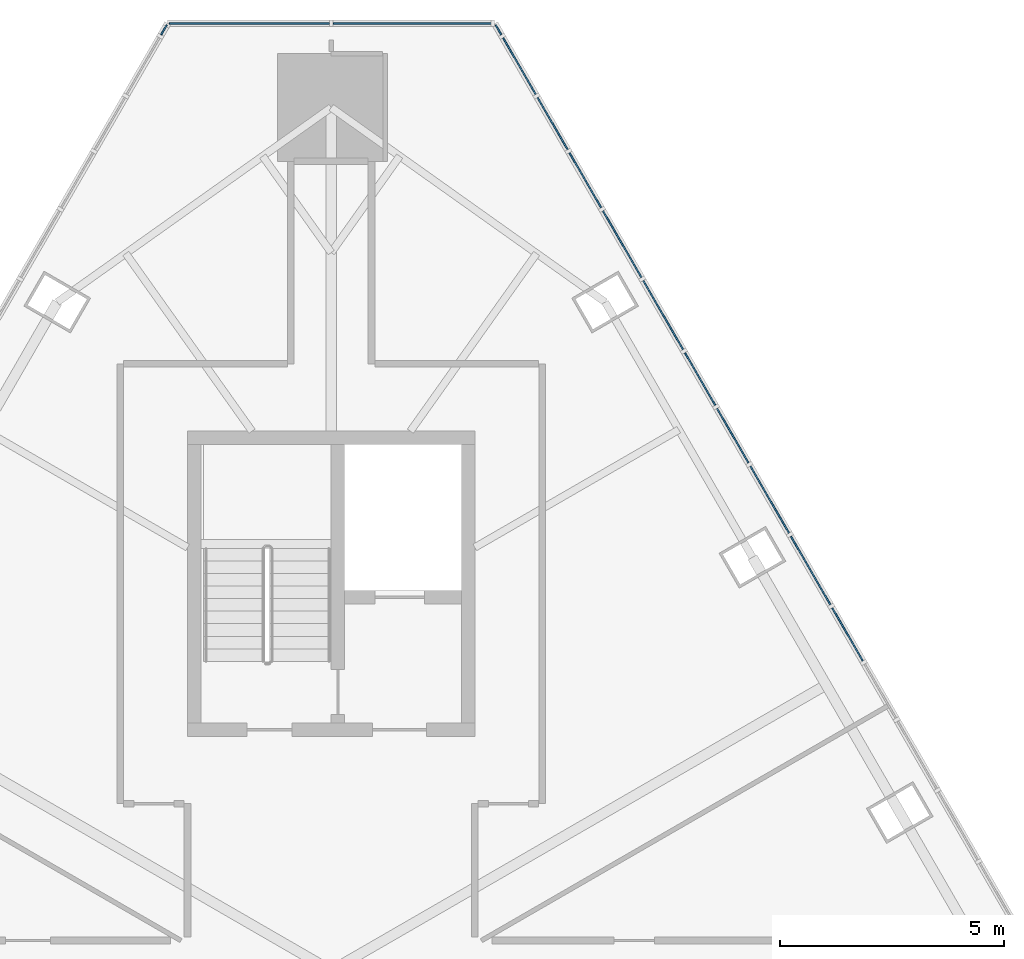
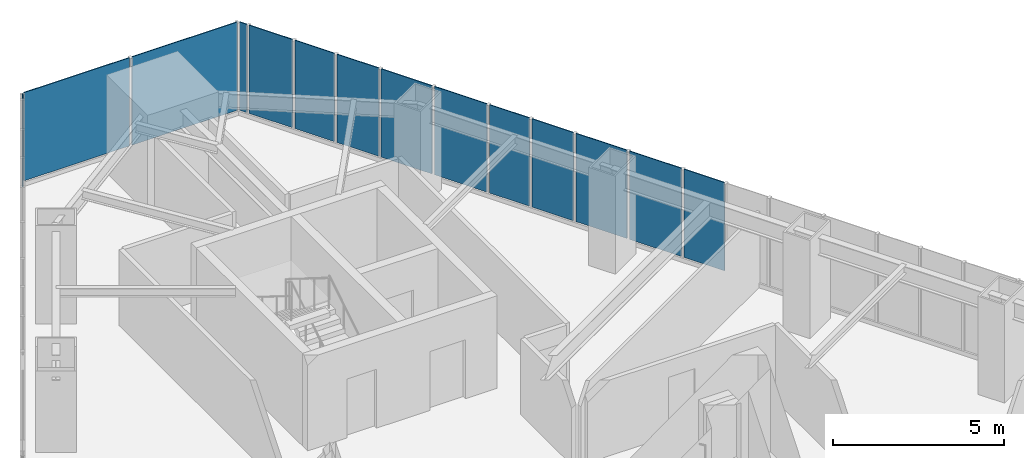
# One storey, part 15 of 21: 14 plates, 3 elements without a shape of their own.
"""IFC4 building model written with IfcOpenShell, lengths in metres."""

from ifc_helpers import new_model, si_unit, direction, frame, origin, place, context, subcontext, project, spatial, polyline, outline, extrude, material, layer, layer_set, type_object, element, aggregate, save


model = new_model("IFC4")

# Units and contexts
model_context = context("Model", 3, precision=1e-05, world=origin(), true_north=direction((0.0, 1.0)))
body_context = subcontext(model_context, "Body", "Model", "MODEL_VIEW")
ifc_project = project(units=[si_unit("LENGTHUNIT", "METRE"), si_unit("AREAUNIT", "SQUARE_METRE"), si_unit("VOLUMEUNIT", "CUBIC_METRE"), si_unit("PLANEANGLEUNIT", "RADIAN"), si_unit("MASSUNIT", "GRAM", prefix="KILO")], contexts=[model_context])

# Site, building, storey
site_placement = place(None, origin())
site = spatial("IfcSite", under=ifc_project, at=site_placement, CompositionType="ELEMENT")
building_placement = place(site_placement, origin())
building = spatial("IfcBuilding", under=site, at=building_placement, Name="Firuza Gate Tower and Library", CompositionType="ELEMENT")
storey_placement = place(building_placement, frame((0.0, 0.0, 274.10009765625)))
storey = spatial("IfcBuildingStorey", under=building, at=storey_placement, Name="L65", CompositionType="ELEMENT", Elevation=274.10009765625)

# Curtain wall, plates
ifc_material_1 = material(Name="Aluminium 6063-T6", Category="aluminium")
ifc_layer_1 = layer(ifc_material_1, 0.14990234375)
ifc_layer_set_1 = layer_set([ifc_layer_1], Name="Corner curtain wall, chamfers")
curtain_wall_type_1 = type_object("IfcCurtainWallType", Name="Corner curtain wall, chamfers", PredefinedType="NOTDEFINED", material=ifc_layer_set_1)
placement = place(storey_placement, origin())
curtain_wall_1 = element("IfcCurtainWall", 1, at=placement, inside=storey, type_object=curtain_wall_type_1, Name="CW4 L65 N corner", PredefinedType="NOTDEFINED")
ifc_material_2 = material(Name="Fritted glass", Category="glass")
ifc_layer_2 = layer(ifc_material_2, 0.030029296875)
ifc_layer_set_2 = layer_set([ifc_layer_2], Name="Fritted glass unit, corners")
plate_type_1 = type_object("IfcPlateType", Name="Fritted glass unit, corners", PredefinedType="CURTAIN_PANEL", material=ifc_layer_set_2)
plate_1_placement = place(storey_placement, frame((78.603271484375, 103.701904296875, 0.14990234375), z_axis=(0.0, 1.0, 0.0), x_axis=(-1.0, 0.0, 0.0)))
plate_1 = element("IfcPlate", 2, at=plate_1_placement, type_object=plate_type_1, Name="Glass unit", PredefinedType="CURTAIN_PANEL", context=body_context, shape_type="SweptSolid", body=[
    extrude(outline(polyline([(0.0, 0.0), (3.563232421875, 0.0), (3.563232421875, 3.14990234375), (0.0, 3.14990234375), (0.0, 0.0)])), origin(), (0.0, 0.0, -1.0), 0.030029296875),
])
plate_2_placement = place(storey_placement, frame((74.9599609375, 103.701904296875, 0.14990234375), z_axis=(0.0, 1.0, 0.0), x_axis=(-1.0, 0.0, 0.0)))
plate_2 = element("IfcPlate", 3, at=plate_2_placement, type_object=plate_type_1, Name="Glass unit", PredefinedType="CURTAIN_PANEL", context=body_context, shape_type="SweptSolid", body=[
    extrude(outline(polyline([(0.0, 0.0), (3.563232421875, 0.0), (3.563232421875, 3.14990234375), (0.0, 3.14990234375), (0.0, 0.0)])), origin(), (0.0, 0.0, -1.0), 0.030029296875),
])
aggregate(curtain_wall_1, [plate_1, plate_2])

ifc_material_3 = material(Name="Aluminium 6063-T6", Category="aluminium")
ifc_layer_3 = layer(ifc_material_3, 0.14990234375)
ifc_layer_set_3 = layer_set([ifc_layer_3], Name="Unitised curtain wall, residences")
curtain_wall_type_2 = type_object("IfcCurtainWallType", Name="Unitised curtain wall, residences", PredefinedType="NOTDEFINED", material=ifc_layer_set_3)
curtain_wall_2 = element("IfcCurtainWall", 4, at=placement, inside=storey, type_object=curtain_wall_type_2, Name="CW3 L65 E face", PredefinedType="NOTDEFINED")
ifc_material_4 = material(Name="Fritted glass", Category="glass")
ifc_layer_4 = layer(ifc_material_4, 0.030029296875)
ifc_layer_set_4 = layer_set([ifc_layer_4], Name="Fritted glass unit, residences")
plate_type_2 = type_object("IfcPlateType", Name="Fritted glass unit, residences", PredefinedType="CURTAIN_PANEL", material=ifc_layer_set_4)
plate_3_placement = place(storey_placement, frame((86.135498046875, 90.739990234375, 0.14990234375), z_axis=(0.866010328312, 0.500026110575, 0.0), x_axis=(-0.500026110575, 0.866010328312, 0.0)))
plate_3 = element("IfcPlate", 5, at=plate_3_placement, type_object=plate_type_2, Name="Glass unit", PredefinedType="CURTAIN_PANEL", context=body_context, shape_type="SweptSolid", body=[
    extrude(outline(polyline([(0.0, 0.0), (1.7630915230835504, 0.0), (1.7630915230835504, 3.14990234375), (0.0, 3.14990234375), (0.0, 0.0)])), origin(), (0.0, 0.0, -1.0), 0.030029296875),
])
plate_4_placement = place(storey_placement, frame((85.214111328125, 92.336181640625, 0.14990234375), z_axis=(0.865997125063, 0.500048976984, 0.0), x_axis=(-0.500048976984, 0.865997125063, 0.0)))
plate_4 = element("IfcPlate", 6, at=plate_4_placement, type_object=plate_type_2, Name="Glass unit", PredefinedType="CURTAIN_PANEL", context=body_context, shape_type="SweptSolid", body=[
    extrude(outline(polyline([(0.0, 0.0), (1.7259051594906447, 0.0), (1.7259051594906447, 3.14990234375), (0.0, 3.14990234375), (0.0, 0.0)])), origin(), (0.0, 0.0, -1.0), 0.030029296875),
])
plate_5_placement = place(storey_placement, frame((82.852783203125, 96.42578125, 0.14990234375), z_axis=(0.866034453953, 0.499984324321, 0.0), x_axis=(-0.499984324321, 0.866034453953, 0.0)))
plate_5 = element("IfcPlate", 7, at=plate_5_placement, type_object=plate_type_2, Name="Glass unit", PredefinedType="CURTAIN_PANEL", context=body_context, shape_type="SweptSolid", body=[
    extrude(outline(polyline([(0.0, 0.0), (1.7754462876527597, 0.0), (1.7754462876527597, 3.14990234375), (0.0, 3.14990234375), (0.0, 0.0)])), origin(), (0.0, 0.0, -1.0), 0.030029296875),
])
plate_6_placement = place(storey_placement, frame((81.925048828125, 98.03271484375, 0.14990234375), z_axis=(0.866033729024, 0.499985579985, 0.0), x_axis=(-0.499985579985, 0.866033729024, 0.0)))
plate_6 = element("IfcPlate", 8, at=plate_6_placement, type_object=plate_type_2, Name="Glass unit", PredefinedType="CURTAIN_PANEL", context=body_context, shape_type="SweptSolid", body=[
    extrude(outline(polyline([(0.0, 0.0), (1.7134283215758555, 0.0), (1.7134283215758555, 3.1499023437499996), (0.0, 3.1499023437499996), (0.0, 0.0)])), origin(), (0.0, 0.0, -1.0), 0.030029296875),
])
plate_7_placement = place(storey_placement, frame((79.570068359375, 102.111572265625, 0.14990234375), z_axis=(0.866037657489, 0.499978775361, 0.0), x_axis=(-0.499978775361, 0.866037657489, 0.0)))
plate_7 = element("IfcPlate", 9, at=plate_7_placement, type_object=plate_type_2, Name="Glass unit", PredefinedType="CURTAIN_PANEL", context=body_context, shape_type="SweptSolid", body=[
    extrude(outline(polyline([(0.0, 0.0), (1.4566048005727479, 0.0), (1.4566048005727479, 3.14990234375), (0.0, 3.14990234375), (0.0, 0.0)])), origin(), (0.0, 0.0, -1.0), 0.030029296875),
])
ifc_material_5 = material(Name="Glazed ceramic tile")
ifc_layer_5 = layer(ifc_material_5, 0.030029296875)
ifc_layer_set_5 = layer_set([ifc_layer_5], Name="Opaque ceramic panel, residences")
plate_type_3 = type_object("IfcPlateType", Name="Opaque ceramic panel, residences", PredefinedType="CURTAIN_PANEL", material=ifc_layer_set_5)
plate_8_placement = place(storey_placement, frame((86.8583984375, 89.488037109375, 0.14990234375), z_axis=(0.866045686382, 0.499964867866, 0.0), x_axis=(-0.499964867866, 0.866045686382, 0.0)))
plate_8 = element("IfcPlate", 10, at=plate_8_placement, type_object=plate_type_3, Name="Opaque ceramic panel", PredefinedType="CURTAIN_PANEL", context=body_context, shape_type="SweptSolid", body=[
    extrude(outline(polyline([(0.0, 0.0), (1.3658186244967807, 0.0), (1.3658186244967807, 3.14990234375), (0.0, 3.14990234375), (0.0, 0.0)])), origin(), (0.0, 0.0, -1.0), 0.030029296875),
])
plate_9_placement = place(storey_placement, frame((84.31103515625, 93.900146484375, 0.14990234375), z_axis=(0.866017486206, 0.500013713398, 0.0), x_axis=(-0.500013713398, 0.866017486206, 0.0)))
plate_9 = element("IfcPlate", 11, at=plate_9_placement, type_object=plate_type_3, Name="Opaque ceramic panel", PredefinedType="CURTAIN_PANEL", context=body_context, shape_type="SweptSolid", body=[
    extrude(outline(polyline([(0.0, 0.0), (1.4027935571171237, 0.0), (1.4027935571171237, 3.14990234375), (0.0, 3.14990234375), (0.0, 0.0)])), origin(), (0.0, 0.0, -1.0), 0.030029296875),
])
plate_10_placement = place(storey_placement, frame((83.569580078125, 95.184326171875, 0.14990234375), z_axis=(0.86601436245, 0.500019123664, 0.0), x_axis=(-0.500019123664, 0.86601436245, 0.0)))
plate_10 = element("IfcPlate", 12, at=plate_10_placement, type_object=plate_type_3, Name="Opaque ceramic panel", PredefinedType="CURTAIN_PANEL", context=body_context, shape_type="SweptSolid", body=[
    extrude(outline(polyline([(0.0, 0.0), (1.3534638586232268, 0.0), (1.3534638586232268, 3.149902343750001), (0.0, 3.149902343750001), (0.0, 0.0)])), origin(), (0.0, 0.0, -1.0), 0.030029296875),
])
plate_11_placement = place(storey_placement, frame((81.0283203125, 99.5859375, 0.14990234375), z_axis=(0.866047690699, 0.499961395945, 0.0), x_axis=(-0.499961395945, 0.866047690699, 0.0)))
plate_11 = element("IfcPlate", 13, at=plate_11_placement, type_object=plate_type_3, Name="Opaque ceramic panel", PredefinedType="CURTAIN_PANEL", context=body_context, shape_type="SweptSolid", body=[
    extrude(outline(polyline([(0.0, 0.0), (1.4151483234269029, 0.0), (1.4151483234269029, 3.14990234375), (0.0, 3.14990234375), (0.0, 0.0)])), origin(), (0.0, 0.0, -1.0), 0.030029296875),
])
plate_12_placement = place(storey_placement, frame((80.28076171875, 100.880859375, 0.14990234375), z_axis=(0.865982457891, 0.500074377092, 0.0), x_axis=(-0.500074377092, 0.865982457891, 0.0)))
plate_12 = element("IfcPlate", 14, at=plate_12_placement, type_object=plate_type_3, Name="Opaque ceramic panel", PredefinedType="CURTAIN_PANEL", context=body_context, shape_type="SweptSolid", body=[
    extrude(outline(polyline([(0.0, 0.0), (1.3411090981597318, 0.0), (1.3411090981597318, 3.14990234375), (0.0, 3.14990234375), (0.0, 0.0)])), origin(), (0.0, 0.0, -1.0), 0.030029296875),
])
plate_13_placement = place(storey_placement, frame((78.802001953125, 103.4423828125, 0.14990234375), z_axis=(0.865780878536, 0.500423291185, 0.0), x_axis=(-0.500423291185, 0.865780878536, 0.0)))
plate_13 = element("IfcPlate", 15, at=plate_13_placement, type_object=plate_type_3, Name="Opaque ceramic panel", PredefinedType="CURTAIN_PANEL", context=body_context, shape_type="SweptSolid", body=[
    extrude(outline(polyline([(0.0, 0.0), (0.2512521381192305, 0.0), (0.2512521381192305, 3.14990234375), (0.0, 3.14990234375), (0.0, 0.0)])), origin(), (0.0, 0.0, -1.0), 0.030029296875),
])
aggregate(curtain_wall_2, [plate_8, plate_3, plate_4, plate_9, plate_10, plate_5, plate_6, plate_11, plate_12, plate_7, plate_13])

# Curtain wall, plate
curtain_wall_3 = element("IfcCurtainWall", 16, at=placement, inside=storey, type_object=curtain_wall_type_2, Name="CW3 L65 W face", PredefinedType="NOTDEFINED")
plate_14_placement = place(storey_placement, frame((71.32373046875, 103.659912109375, 0.14990234375), z_axis=(-0.865780878536, 0.500423291185, 0.0), x_axis=(-0.500423291185, -0.865780878536, 0.0)))
plate_14 = element("IfcPlate", 17, at=plate_14_placement, type_object=plate_type_3, Name="Opaque ceramic panel", PredefinedType="CURTAIN_PANEL", context=body_context, shape_type="SweptSolid", body=[
    extrude(outline(polyline([(0.0, 0.0), (0.2512521381192305, 0.0), (0.2512521381192305, 3.14990234375), (0.0, 3.14990234375), (0.0, 0.0)])), origin(), (0.0, 0.0, -1.0), 0.030029296875),
])
aggregate(curtain_wall_3, [plate_14])

save(model, "model.ifc")
